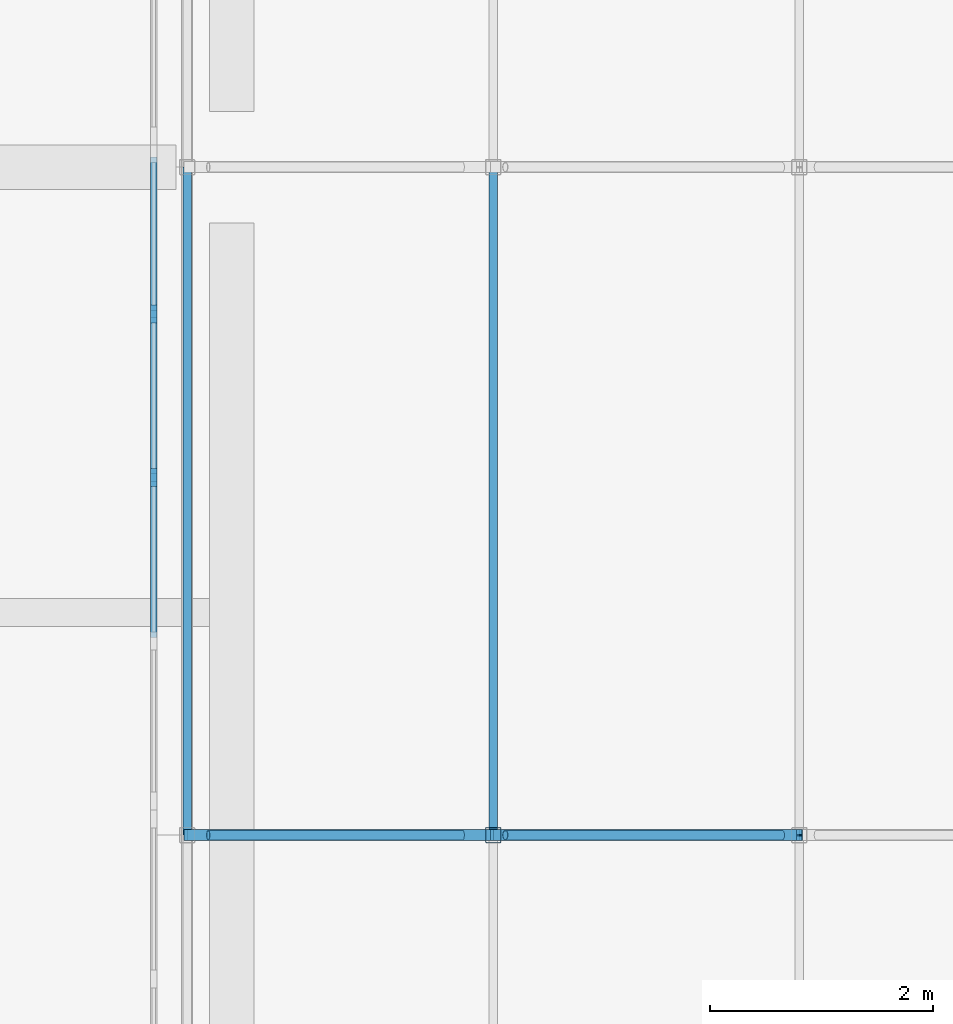
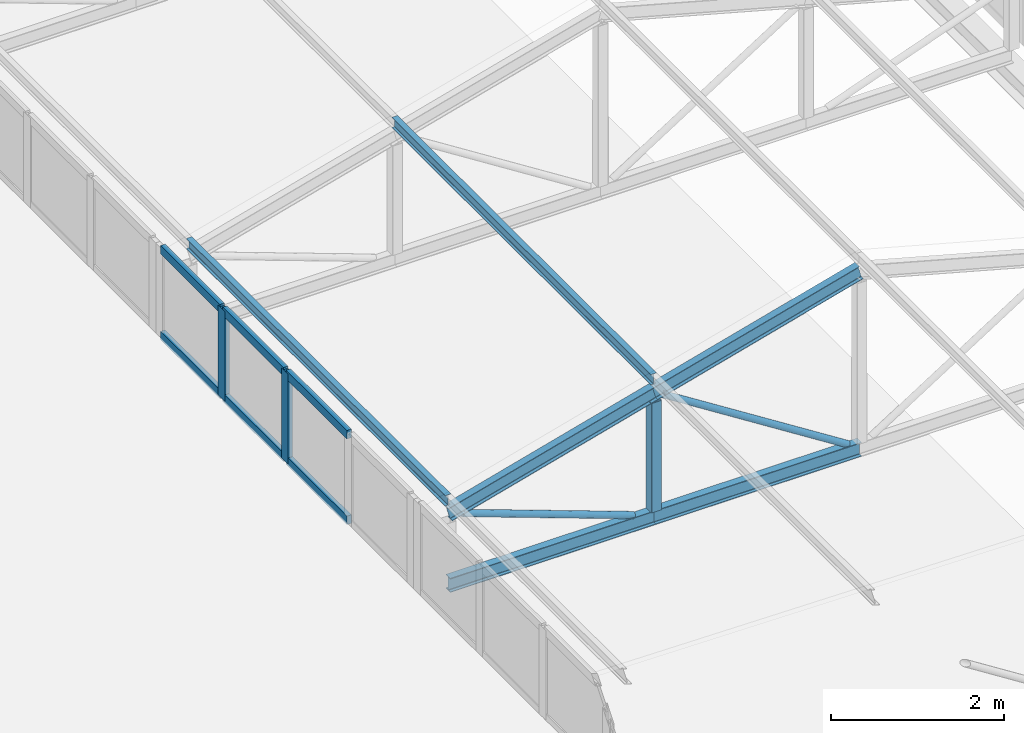
# One storey, part 14 of 94: 17 members, 1 element without a shape of its own.
"""IFC4 building model written with IfcOpenShell, lengths in metres."""

from ifc_helpers import new_model, si_unit, direction, frame, origin, origin_2d, place, context, subcontext, project, spatial, rectangle, hollow_rectangle, hollow_circle, i_section, extrude, material, layer, layer_set, material_profile, profile_set, type_object, element, aggregate, save


model = new_model("IFC4")

# Units and contexts
model_context = context("Model", 3, precision=1e-05, world=origin(), true_north=direction((0.0, 1.0)))
body_context = subcontext(model_context, "Body", "Model", "MODEL_VIEW")
ifc_project = project(units=[si_unit("LENGTHUNIT", "METRE"), si_unit("AREAUNIT", "SQUARE_METRE"), si_unit("VOLUMEUNIT", "CUBIC_METRE"), si_unit("PLANEANGLEUNIT", "RADIAN"), si_unit("MASSUNIT", "GRAM", prefix="KILO")], contexts=[model_context])

# Site, building, storey
site_placement = place(None, origin())
site = spatial("IfcSite", under=ifc_project, at=site_placement, CompositionType="ELEMENT")
building_placement = place(site_placement, origin())
building = spatial("IfcBuilding", under=site, at=building_placement, Name="Lilac Gate Convention Centre", CompositionType="ELEMENT")
storey_placement = place(building_placement, frame((0.0, 0.0, 21.0)))
storey = spatial("IfcBuildingStorey", under=building, at=storey_placement, Name="L04", CompositionType="ELEMENT", Elevation=21.0)

# Curtain wall, members
ifc_material_1 = material(Name="Aluminium framed double glazing", Category="aluminium")
ifc_layer = layer(ifc_material_1, 0.199951171875)
ifc_layer_set = layer_set([ifc_layer], Name="Aluminium framed double glazing")
curtain_wall_type = type_object("IfcCurtainWallType", Name="Unitised curtain wall 1500", PredefinedType="NOTDEFINED", material=ifc_layer_set)
curtain_wall_placement = place(storey_placement, origin())
curtain_wall = element("IfcCurtainWall", 1, at=curtain_wall_placement, inside=storey, type_object=curtain_wall_type, Name="Lantern clerestory W 8", PredefinedType="NOTDEFINED")
ifc_material_2 = material(Name="Aluminium alloy 6063", Category="aluminium")
ifc_material_profile_1 = material_profile(ifc_material_2, rectangle(XDim=0.06005859375, YDim=0.159912109375, at=origin_2d()), Name="Curtain wall mullion 60 x 160")
ifc_profile_set_1 = profile_set([ifc_material_profile_1], Name="Aluminium alloy 6063")
member_type_1 = type_object("IfcMemberType", Name="Curtain wall mullion 60 x 160", PredefinedType="MULLION", material=ifc_profile_set_1)
member_1_placement = place(storey_placement, frame((17.300048828125, 75.21240234375, 0.0), z_axis=(0.0, 0.0, 1.0), x_axis=(-1.0, 0.0, 0.0)))
member_1 = element("IfcMember", 2, at=member_1_placement, type_object=member_type_1, Name="CW mullion 3", PredefinedType="MULLION", context=body_context, shape_type="SweptSolid", body=[
    extrude(rectangle(XDim=0.06005859375, YDim=0.159912109375, at=origin_2d()), origin(), (0.0, 0.0, 1.0), 1.272216796875),
])
member_2_placement = place(storey_placement, frame((17.300048828125, 76.68115234375, 0.0), z_axis=(0.0, 0.0, 1.0), x_axis=(-1.0, 0.0, 0.0)))
member_2 = element("IfcMember", 3, at=member_2_placement, type_object=member_type_1, Name="CW mullion 4", PredefinedType="MULLION", context=body_context, shape_type="SweptSolid", body=[
    extrude(rectangle(XDim=0.06005859375, YDim=0.159912109375, at=origin_2d()), origin(), (0.0, 0.0, 1.0), 1.272216796875),
])
ifc_material_profile_2 = material_profile(ifc_material_2, rectangle(XDim=0.06005859375, YDim=0.1201171875, at=origin_2d()), Name="Curtain wall transom 60 x 120")
ifc_profile_set_2 = profile_set([ifc_material_profile_2], Name="Aluminium alloy 6063")
member_type_2 = type_object("IfcMemberType", Name="Curtain wall transom 60 x 120", PredefinedType="USERDEFINED", material=ifc_profile_set_2)
member_3_placement = place(storey_placement, frame((17.300048828125, 73.773681640625, 0.030029296875), z_axis=(0.0, 1.0, 0.0), x_axis=(-1.0, 0.0, 0.0)))
member_3 = element("IfcMember", 4, at=member_3_placement, type_object=member_type_2, Name="CW transom 2.1", ObjectType="TRANSOM", PredefinedType="USERDEFINED", context=body_context, shape_type="SweptSolid", body=[
    extrude(rectangle(XDim=0.06005859375, YDim=0.1201171875, at=origin_2d()), origin(), (0.0, 0.0, 1.0), 1.40869140625),
])
member_4_placement = place(storey_placement, frame((17.300048828125, 73.773681640625, 1.2421875), z_axis=(0.0, 1.0, 0.0), x_axis=(-1.0, 0.0, 0.0)))
member_4 = element("IfcMember", 5, at=member_4_placement, type_object=member_type_2, Name="CW transom 2.2", ObjectType="TRANSOM", PredefinedType="USERDEFINED", context=body_context, shape_type="SweptSolid", body=[
    extrude(rectangle(XDim=0.06005859375, YDim=0.1201171875, at=origin_2d()), origin(), (0.0, 0.0, 1.0), 1.40869140625),
])
member_5_placement = place(storey_placement, frame((17.300048828125, 75.242431640625, 0.030029296875), z_axis=(0.0, 1.0, 0.0), x_axis=(-1.0, 0.0, 0.0)))
member_5 = element("IfcMember", 6, at=member_5_placement, type_object=member_type_2, Name="CW transom 3.1", ObjectType="TRANSOM", PredefinedType="USERDEFINED", context=body_context, shape_type="SweptSolid", body=[
    extrude(rectangle(XDim=0.06005859375, YDim=0.1201171875, at=origin_2d()), origin(), (0.0, 0.0, 1.0), 1.40869140625),
])
member_6_placement = place(storey_placement, frame((17.300048828125, 75.242431640625, 1.2421875), z_axis=(0.0, 1.0, 0.0), x_axis=(-1.0, 0.0, 0.0)))
member_6 = element("IfcMember", 7, at=member_6_placement, type_object=member_type_2, Name="CW transom 3.2", ObjectType="TRANSOM", PredefinedType="USERDEFINED", context=body_context, shape_type="SweptSolid", body=[
    extrude(rectangle(XDim=0.06005859375, YDim=0.1201171875, at=origin_2d()), origin(), (0.0, 0.0, 1.0), 1.40869140625),
])
member_7_placement = place(storey_placement, frame((17.300048828125, 76.711181640625, 0.030029296875), z_axis=(0.0, 1.0, 0.0), x_axis=(-1.0, 0.0, 0.0)))
member_7 = element("IfcMember", 8, at=member_7_placement, type_object=member_type_2, Name="CW transom 4.1", ObjectType="TRANSOM", PredefinedType="USERDEFINED", context=body_context, shape_type="SweptSolid", body=[
    extrude(rectangle(XDim=0.06005859375, YDim=0.1201171875, at=origin_2d()), origin(), (0.0, 0.0, 1.0), 1.378662109375),
])
member_8_placement = place(storey_placement, frame((17.300048828125, 76.711181640625, 1.2421875), z_axis=(0.0, 1.0, 0.0), x_axis=(-1.0, 0.0, 0.0)))
member_8 = element("IfcMember", 9, at=member_8_placement, type_object=member_type_2, Name="CW transom 4.2", ObjectType="TRANSOM", PredefinedType="USERDEFINED", context=body_context, shape_type="SweptSolid", body=[
    extrude(rectangle(XDim=0.06005859375, YDim=0.1201171875, at=origin_2d()), origin(), (0.0, 0.0, 1.0), 1.378662109375),
])
aggregate(curtain_wall, [member_1, member_2, member_3, member_4, member_5, member_6, member_7, member_8])

# Members
ifc_material_3 = material(Name="Steel Q355B", Category="steel")
ifc_material_profile_3 = material_profile(ifc_material_3, i_section(OverallWidth=0.10009765625, OverallDepth=0.199951171875, WebThickness=0.005615234375, FlangeThickness=0.008056640625, FilletRadius=0.008056640625, at=origin_2d()), Name="HN200x100x5.5x8")
ifc_profile_set_3 = profile_set([ifc_material_profile_3], Name="Steel Q355B")
member_type_3 = type_object("IfcMemberType", Name="Lantern bottom chord HN200x100x5.5x8", PredefinedType="CHORD", material=ifc_profile_set_3)
for number, where, z_axis, x_axis, name in (
    (10, (17.60009765625, 72.0, 0.10009765625), (1.0, 0.0, 0.0), (0.0, 1.0, 0.0), "LB1 lantern truss 8 bottom chord 1"),
    (11, (20.35009765625, 72.0, 0.10009765625), (1.0, 0.0, 0.0), (0.0, 1.0, 0.0), "LB1 lantern truss 8 bottom chord 2"),
):
    element("IfcMember", number, at=place(storey_placement, frame(where, z_axis=z_axis, x_axis=x_axis)), inside=storey, type_object=member_type_3, Name=name, PredefinedType="CHORD", context=body_context, shape_type="SweptSolid", body=[
        extrude(i_section(OverallWidth=0.10009765625, OverallDepth=0.199951171875, WebThickness=0.005615234375, FlangeThickness=0.008056640625, FilletRadius=0.008056640625, at=origin_2d()), origin(), (0.0, 0.0, 1.0), 2.75),
    ])
ifc_material_profile_4 = material_profile(ifc_material_3, hollow_circle(Radius=0.04443359375, WallThickness=0.0048828125, at=origin_2d()), Name="CHS88.9x5")
ifc_profile_set_4 = profile_set([ifc_material_profile_4], Name="Steel Q355B")
member_type_4 = type_object("IfcMemberType", Name="Lantern diagonal CHS88.9x5", PredefinedType="BRACE", material=ifc_profile_set_4)
member_9_placement = place(storey_placement, frame((17.789794921875, 72.0, 1.031005859375), z_axis=(0.939781696917, 0.0, -0.341775309434), x_axis=(0.0, 1.0, 0.0)))
element("IfcMember", 12, at=member_9_placement, inside=storey, type_object=member_type_4, Name="LW1 lantern truss 8 diagonal 1", PredefinedType="BRACE", context=body_context, shape_type="SweptSolid", body=[
    extrude(hollow_circle(Radius=0.04443359375, WallThickness=0.0048828125, at=origin_2d()), origin(), (0.0, 0.0, 1.0), 2.431640625),
])
member_10_placement = place(storey_placement, frame((20.45849609375, 72.0, 1.781005859375), z_axis=(0.843647832412, 0.0, -0.536896949951), x_axis=(0.0, 1.0, 0.0)))
element("IfcMember", 13, at=member_10_placement, inside=storey, type_object=member_type_4, Name="LW1 lantern truss 8 diagonal 2", PredefinedType="BRACE", context=body_context, shape_type="SweptSolid", body=[
    extrude(hollow_circle(Radius=0.04443359375, WallThickness=0.0048828125, at=origin_2d()), origin(), (0.0, 0.0, 1.0), 2.94482421875),
])
ifc_material_profile_5 = material_profile(ifc_material_3, hollow_rectangle(XDim=0.139892578125, YDim=0.139892578125, WallThickness=0.0048828125, InnerFilletRadius=0.0048828125, OuterFilletRadius=0.010009765625, at=origin_2d()), Name="SHS140x140x5")
ifc_profile_set_5 = profile_set([ifc_material_profile_5], Name="Steel Q355B")
member_type_5 = type_object("IfcMemberType", Name="Lantern post SHS140x140x5", PredefinedType="STRUT", material=ifc_profile_set_5)
member_11_placement = place(storey_placement, frame((20.35009765625, 72.0, 0.199951171875), z_axis=(0.0, 0.0, 1.0), x_axis=(1.0, 0.0, 0.0)))
element("IfcMember", 14, at=member_11_placement, inside=storey, type_object=member_type_5, Name="LV1 lantern truss 8 post 2", PredefinedType="STRUT", context=body_context, shape_type="SweptSolid", body=[
    extrude(hollow_rectangle(XDim=0.139892578125, YDim=0.139892578125, WallThickness=0.0048828125, InnerFilletRadius=0.0048828125, OuterFilletRadius=0.010009765625, at=origin_2d()), origin(), (0.0, 0.0, 1.0), 1.546142578125),
])
ifc_material_profile_6 = material_profile(ifc_material_3, i_section(OverallWidth=0.074951171875, OverallDepth=0.14990234375, WebThickness=0.0048828125, FlangeThickness=0.007080078125, FilletRadius=0.008056640625, at=origin_2d()), Name="HN150x75x5x7")
ifc_profile_set_6 = profile_set([ifc_material_profile_6], Name="Steel Q355B")
member_type_6 = type_object("IfcMemberType", Name="Lantern purlin HN150x75x5x7", PredefinedType="PURLIN", material=ifc_profile_set_6)
for number, where, z_axis, x_axis, name in (
    (15, (17.60009765625, 72.0, 1.279052734375), (0.0, 1.0, 0.0), (-1.0, 0.0, 0.0), "LP1 lantern purlin bay 8 line 1"),
    (16, (20.35009765625, 72.0, 2.029052734375), (0.0, 1.0, 0.0), (-1.0, 0.0, 0.0), "LP1 lantern purlin bay 8 line 2"),
):
    element("IfcMember", number, at=place(storey_placement, frame(where, z_axis=z_axis, x_axis=x_axis)), inside=storey, type_object=member_type_6, Name=name, PredefinedType="PURLIN", context=body_context, shape_type="SweptSolid", body=[
        extrude(i_section(OverallWidth=0.074951171875, OverallDepth=0.14990234375, WebThickness=0.0048828125, FlangeThickness=0.007080078125, FilletRadius=0.008056640625, at=origin_2d()), origin(), (0.0, 0.0, 1.0), 6.0),
    ])
ifc_material_profile_7 = material_profile(ifc_material_3, i_section(OverallWidth=0.10009765625, OverallDepth=0.199951171875, WebThickness=0.005615234375, FlangeThickness=0.008056640625, FilletRadius=0.008056640625, at=origin_2d()), Name="HN200x100x5.5x8")
ifc_profile_set_7 = profile_set([ifc_material_profile_7], Name="Steel Q355B")
member_type_7 = type_object("IfcMemberType", Name="Lantern top chord HN200x100x5.5x8", PredefinedType="CHORD", material=ifc_profile_set_7)
for number, where, z_axis, x_axis, name in (
    (17, (17.60009765625, 72.0, 1.10009765625), (0.964763821238, 0.0, 0.263117405792), (0.0, 1.0, 0.0), "LT1 lantern truss 8 top chord 1"),
    (18, (20.35009765625, 72.0, 1.85009765625), (0.964763821238, 0.0, 0.263117405792), (0.0, 1.0, 0.0), "LT1 lantern truss 8 top chord 2"),
):
    element("IfcMember", number, at=place(storey_placement, frame(where, z_axis=z_axis, x_axis=x_axis)), inside=storey, type_object=member_type_7, Name=name, PredefinedType="CHORD", context=body_context, shape_type="SweptSolid", body=[
        extrude(i_section(OverallWidth=0.10009765625, OverallDepth=0.199951171875, WebThickness=0.005615234375, FlangeThickness=0.008056640625, FilletRadius=0.008056640625, at=origin_2d()), origin(), (0.0, 0.0, 1.0), 2.850341796875),
    ])

save(model, "model.ifc")
